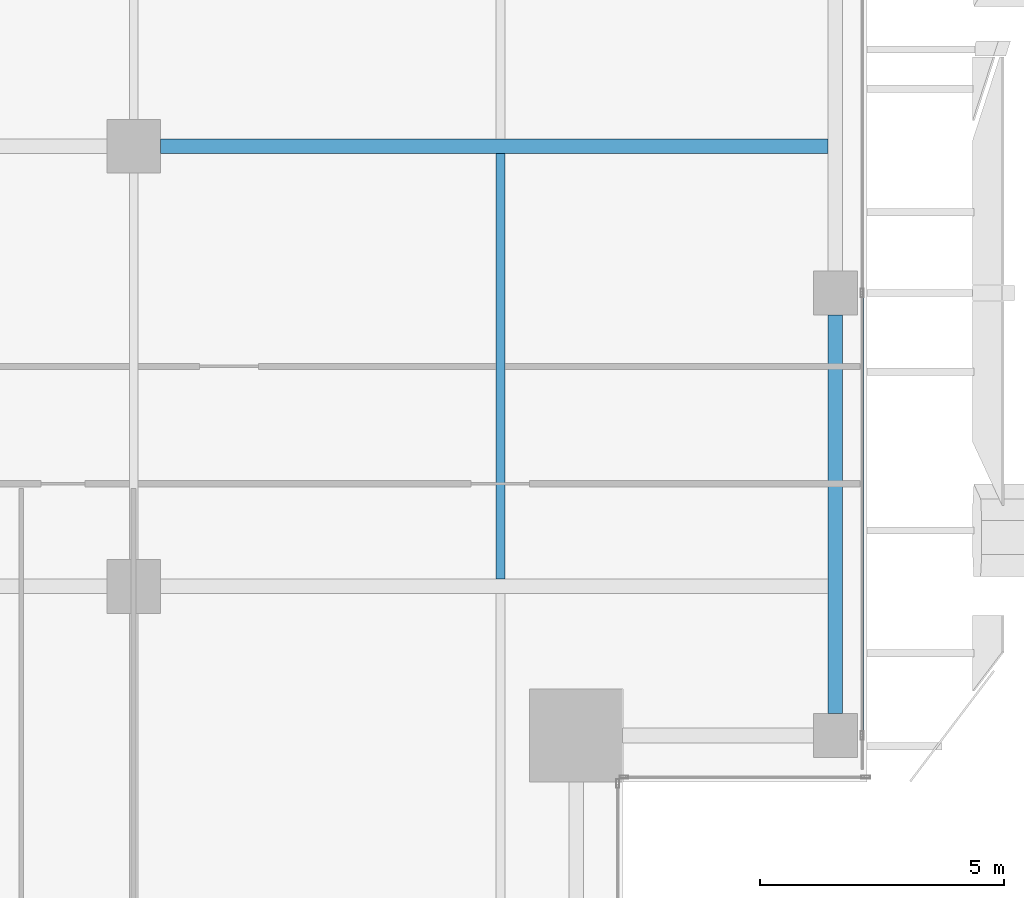
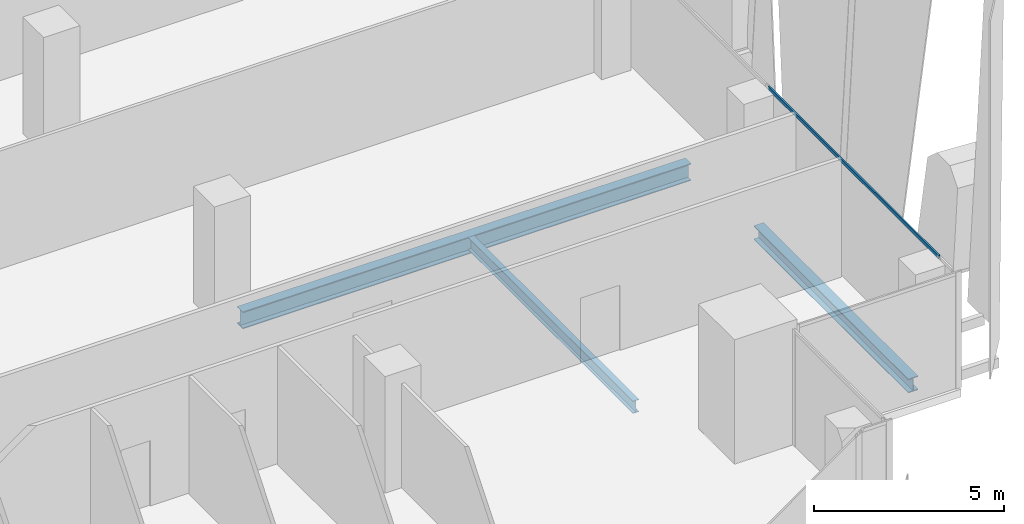
# One storey, part 10 of 35: 3 beams, 1 member, 1 element without a shape of its own.
"""IFC4 building model written with IfcOpenShell, lengths in metres."""

from ifc_helpers import new_model, si_unit, direction, frame, origin, origin_2d, place, context, subcontext, project, spatial, hollow_rectangle, i_section, extrude, source, transform, mapped, material, material_profile, profile_set, type_object, element, aggregate, save


model = new_model("IFC4")

# Units and contexts
model_context = context("Model", 3, precision=1e-05, world=origin(), true_north=direction((0.0, 1.0)))
body_context = subcontext(model_context, "Body", "Model", "MODEL_VIEW")
ifc_project = project(units=[si_unit("LENGTHUNIT", "METRE"), si_unit("AREAUNIT", "SQUARE_METRE"), si_unit("VOLUMEUNIT", "CUBIC_METRE"), si_unit("PLANEANGLEUNIT", "RADIAN"), si_unit("MASSUNIT", "GRAM", prefix="KILO")], contexts=[model_context])

# Site, building, storey
site_placement = place(None, origin())
site = spatial("IfcSite", under=ifc_project, at=site_placement, CompositionType="ELEMENT")
building_placement = place(site_placement, origin())
building = spatial("IfcBuilding", under=site, at=building_placement, Name="Khomas Fold Tower", CompositionType="ELEMENT")
storey_placement = place(building_placement, frame((0.0, 0.0, 246.199951171875)))
storey = spatial("IfcBuildingStorey", under=building, at=storey_placement, Name="L55", CompositionType="ELEMENT", Elevation=246.199951171875)

# Beams
ifc_material_1 = material(Name="Steel S355", Category="steel")
ifc_material_profile_1 = material_profile(ifc_material_1, i_section(OverallWidth=0.179931640625, OverallDepth=0.39990234375, WebThickness=0.008544921875, FlangeThickness=0.013427734375, at=origin_2d()), Name="IPE 400")
ifc_profile_set_1 = profile_set([ifc_material_profile_1], Name="Steel S355")
beam_type_1 = type_object("IfcBeamType", Name="IPE 400 beam JB3", PredefinedType="BEAM", material=ifc_profile_set_1)
shared_shape_1 = source(origin(), body_context, "Body", "SweptSolid", [
    extrude(i_section(OverallWidth=0.179931640625, OverallDepth=0.39990234375, WebThickness=0.008544921875, FlangeThickness=0.013427734375, at=origin_2d()), origin(), (0.0, 0.0, 1.0), 8.7001953125),
])
beam_1_placement = place(storey_placement, frame((42.0, 13.64990234375, -0.449951171875), z_axis=(0.0, 1.0, 0.0), x_axis=(-1.0, 0.0, 0.0)))
element("IfcBeam", 1, at=beam_1_placement, inside=storey, type_object=beam_type_1, Name="JB3", PredefinedType="BEAM", context=body_context, shape_type="MappedRepresentation", body=[
    mapped(shared_shape_1, transform((0.0, 0.0, 0.0))),
])
ifc_material_2 = material(Name="Steel S355", Category="steel")
ifc_material_profile_2 = material_profile(ifc_material_2, i_section(OverallWidth=0.300048828125, OverallDepth=0.449951171875, WebThickness=0.013916015625, FlangeThickness=0.02587890625, at=origin_2d()), Name="HE 450 B")
ifc_profile_set_2 = profile_set([ifc_material_profile_2], Name="Steel S355")
beam_type_2 = type_object("IfcBeamType", Name="HE 450 B spandrel SB4", PredefinedType="SPANDREL", material=ifc_profile_set_2)
shared_shape_2 = source(origin(), body_context, "Body", "SweptSolid", [
    extrude(i_section(OverallWidth=0.300048828125, OverallDepth=0.449951171875, WebThickness=0.013916015625, FlangeThickness=0.02587890625, at=origin_2d()), origin(), (0.0, 0.0, 1.0), 8.150146484375),
])
beam_2_placement = place(storey_placement, frame((48.85009765625, 10.89990234375, -0.474853515625), z_axis=(0.0, 1.0, 0.0), x_axis=(-1.0, 0.0, 0.0)))
element("IfcBeam", 2, at=beam_2_placement, inside=storey, type_object=beam_type_2, Name="SB4", PredefinedType="SPANDREL", context=body_context, shape_type="MappedRepresentation", body=[
    mapped(shared_shape_2, transform((0.0, 0.0, 0.0))),
])
ifc_material_3 = material(Name="Steel S355", Category="steel")
ifc_material_profile_3 = material_profile(ifc_material_3, i_section(OverallWidth=0.300048828125, OverallDepth=0.550048828125, WebThickness=0.014892578125, FlangeThickness=0.029052734375, at=origin_2d()), Name="HE 550 B")
ifc_profile_set_3 = profile_set([ifc_material_profile_3], Name="Steel S355")
beam_type_3 = type_object("IfcBeamType", Name="HE 550 B beam GB4", PredefinedType="BEAM", material=ifc_profile_set_3)
shared_shape_3 = source(origin(), body_context, "Body", "SweptSolid", [
    extrude(i_section(OverallWidth=0.300048828125, OverallDepth=0.550048828125, WebThickness=0.014892578125, FlangeThickness=0.029052734375, at=origin_2d()), origin(), (0.0, 0.0, 1.0), 13.64990234375),
])
beam_3_placement = place(storey_placement, frame((35.050048828125, 22.5, -0.52490234375), z_axis=(1.0, 0.0, 0.0), x_axis=(0.0, 1.0, 0.0)))
element("IfcBeam", 3, at=beam_3_placement, inside=storey, type_object=beam_type_3, Name="GB4", PredefinedType="BEAM", context=body_context, shape_type="MappedRepresentation", body=[
    mapped(shared_shape_3, transform((0.0, 0.0, 0.0))),
])

# Curtain wall, member
ifc_material_4 = material(Name="Aluminium framed double glazing", Category="aluminium")
curtain_wall_type = type_object("IfcCurtainWallType", Name="SK-Unitised clear-glass wall, office floors CW2", PredefinedType="NOTDEFINED", material=ifc_material_4)
curtain_wall_placement = place(storey_placement, origin())
curtain_wall = element("IfcCurtainWall", 4, at=curtain_wall_placement, inside=storey, type_object=curtain_wall_type, Name="CW2 run L55 03-0", PredefinedType="NOTDEFINED")
ifc_material_5 = material(Name="Aluminium", Category="aluminium")
ifc_material_profile_4 = material_profile(ifc_material_5, hollow_rectangle(XDim=0.050048828125, YDim=0.110107421875, WallThickness=0.00390625, at=origin_2d()), Name="SK-Unitised clear-glass wall, office floors transom CW2-T")
ifc_profile_set_4 = profile_set([ifc_material_profile_4], Name="Aluminium")
member_type = type_object("IfcMemberType", Name="SK-Unitised clear-glass wall, office floors transom CW2-T", PredefinedType="USERDEFINED", material=ifc_profile_set_4)
shared_shape_4 = source(origin(), body_context, "Body", "SweptSolid", [
    extrude(hollow_rectangle(XDim=0.050048828125, YDim=0.110107421875, WallThickness=0.00390625, at=origin_2d()), origin(), (0.0, 0.0, 1.0), 8.989990234375),
])
member_placement = place(storey_placement, frame((49.39990234375, 10.47998046875, 3.695068359375), z_axis=(0.0, 1.0, 0.0), x_axis=(-1.0, 0.0, 0.0)))
member = element("IfcMember", 5, at=member_placement, type_object=member_type, Name="CW2 transom 2", ObjectType="TRANSOM", PredefinedType="USERDEFINED", context=body_context, shape_type="MappedRepresentation", body=[
    mapped(shared_shape_4, transform((0.0, 0.0, 0.0))),
])
aggregate(curtain_wall, [member])

save(model, "model.ifc")
